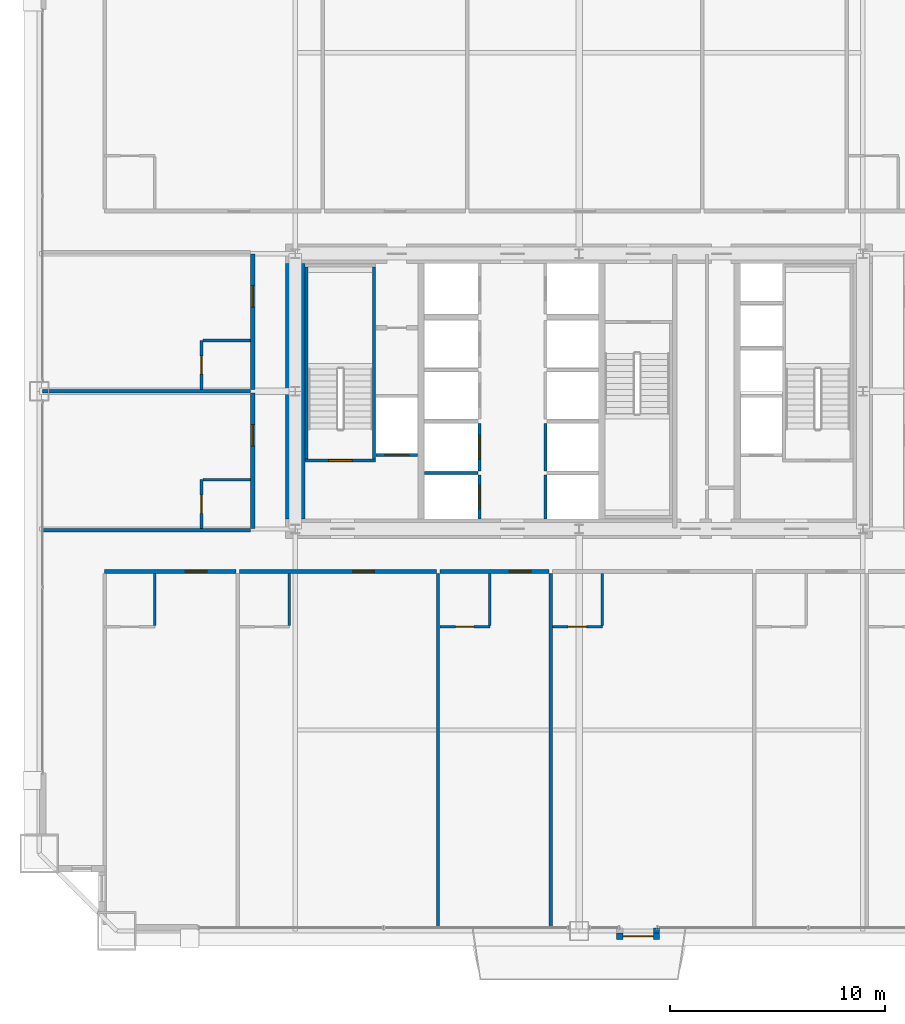
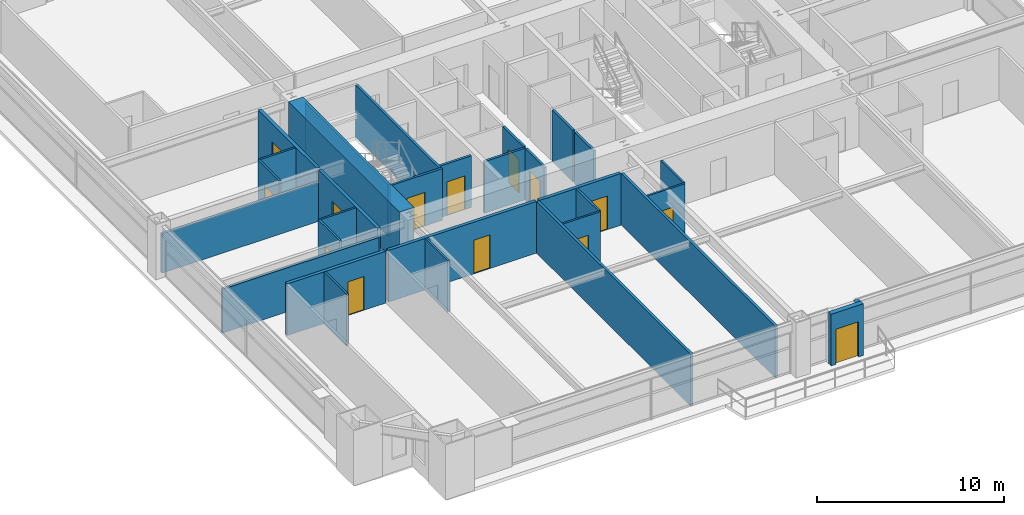
# One storey, part 39 of 43: 31 walls, 14 doors, 14 openings.
"""IFC4 building model written with IfcOpenShell, lengths in metres."""

from ifc_helpers import new_model, si_unit, direction, frame, frame_2d, origin, place, context, subcontext, project, spatial, rectangle, extrude, source, transform, mapped, material, layer, layer_set, type_object, element, fill, save


model = new_model("IFC4")

# Units and contexts
model_context = context("Model", 3, precision=1e-05, world=origin(), true_north=direction((0.0, 1.0)))
body_context = subcontext(model_context, "Body", "Model", "MODEL_VIEW")
ifc_project = project(units=[si_unit("LENGTHUNIT", "METRE"), si_unit("AREAUNIT", "SQUARE_METRE"), si_unit("VOLUMEUNIT", "CUBIC_METRE"), si_unit("PLANEANGLEUNIT", "RADIAN"), si_unit("MASSUNIT", "GRAM", prefix="KILO"), si_unit("THERMODYNAMICTEMPERATUREUNIT", "KELVIN"), si_unit("POWERUNIT", "WATT")], contexts=[model_context])

# Site, building, storey
site_placement = place(None, origin())
site = spatial("IfcSite", under=ifc_project, at=site_placement, CompositionType="ELEMENT")
building_placement = place(site_placement, origin())
building = spatial("IfcBuilding", under=site, at=building_placement, Name="Yuzanri Waterfront Tower", CompositionType="ELEMENT")
storey_placement = place(building_placement, frame((0.0, 0.0, 64.0)))
storey = spatial("IfcBuildingStorey", under=building, at=storey_placement, Name="L16", CompositionType="ELEMENT", Elevation=64.0)

# Wall, opening, door
ifc_material_1 = material(Name="Moisture-Resistant Gypsum Stud Wall", Category="gypsum")
ifc_layer_1 = layer(ifc_material_1, 0.1201171875)
ifc_layer_set_1 = layer_set([ifc_layer_1], Name="Moisture-Resistant Gypsum Stud Wall")
wall_type_1 = type_object("IfcWallType", Name="Bathroom and Kitchen Wet Partition 120", PredefinedType="PARTITIONING", material=ifc_layer_set_1)
wall_1_placement = place(storey_placement, frame((30.52099609375, 14.840087890625, 0.0), z_axis=(0.0, 0.0, 1.0), x_axis=(1.0, 0.0, 0.0)))
wall_1 = element("IfcWall", 1, at=wall_1_placement, inside=storey, type_object=wall_type_1, Name="L16 Partition UW-L16-S3-BS", PredefinedType="PARTITIONING", context=body_context, shape_type="SweptSolid", body=[
    extrude(rectangle(XDim=2.330078125, YDim=0.1201171875, at=frame_2d((1.1650390625, 0.0))), origin(), (0.0, 0.0, 1.0), 3.3798828125),
])
opening_1_placement = place(wall_1_placement, frame((0.739990234375, 0.0, 0.0)))
opening_1 = element("IfcOpeningElement", 2, at=opening_1_placement, cuts=wall_1, Name="Opening ID-0850", PredefinedType="OPENING", context=body_context, shape_type="SweptSolid", body=[
    extrude(rectangle(XDim=0.85009765625, YDim=2.10009765625, at=frame_2d((0.425048828125, 1.050048828125))), frame((0.0, 0.074951171875, 0.0), z_axis=(0.0, -1.0, 0.0), x_axis=(1.0, 0.0, 0.0)), (0.0, 0.0, 1.0), 0.14990234375),
])
ifc_material_2 = material(Name="Moisture-Resistant Lacquered Timber", Category="wood")
door_type_1 = type_object("IfcDoorType", Name="En-Suite Bathroom and Kitchen Swing Door 850x2100", OperationType="NOTDEFINED", PredefinedType="DOOR", material=ifc_material_2)
shared_shape_1 = source(origin(), body_context, "Body", "SweptSolid", [
    extrude(rectangle(XDim=0.85009765625, YDim=2.10009765625, at=frame_2d((0.425048828125, 1.050048828125))), frame((0.0, 0.02490234375, 0.0), z_axis=(0.0, -1.0, 0.0), x_axis=(1.0, 0.0, 0.0)), (0.0, 0.0, 1.0), 0.050048828125),
])
door_1_placement = place(opening_1_placement, origin())
door_1 = element("IfcDoor", 3, at=door_1_placement, inside=storey, type_object=door_type_1, Name="L16 Guest En-Suite Door", OperationType="SINGLE_SWING_RIGHT", OverallHeight=2.10009765625, OverallWidth=0.85009765625, PredefinedType="DOOR", context=body_context, shape_type="MappedRepresentation", body=[
    mapped(shared_shape_1, transform((0.0, 0.0, 0.0), scale=1.0)),
])
fill(opening_1, door_1)

wall_2_placement = place(storey_placement, frame((35.756103515625, 14.840087890625, 0.0), z_axis=(0.0, 0.0, 1.0), x_axis=(1.0, 0.0, 0.0)))
wall_2 = element("IfcWall", 4, at=wall_2_placement, inside=storey, type_object=wall_type_1, Name="L16 Partition UW-L16-S4-BS", PredefinedType="PARTITIONING", context=body_context, shape_type="SweptSolid", body=[
    extrude(rectangle(XDim=2.329833984375, YDim=0.1201171875, at=frame_2d((1.1650390625, 0.0))), origin(), (0.0, 0.0, 1.0), 3.3798828125),
])
opening_2_placement = place(wall_2_placement, frame((0.739990234375, 0.0, 0.0)))
opening_2 = element("IfcOpeningElement", 5, at=opening_2_placement, cuts=wall_2, Name="Opening ID-0850", PredefinedType="OPENING", context=body_context, shape_type="SweptSolid", body=[
    extrude(rectangle(XDim=0.85009765625, YDim=2.10009765625, at=frame_2d((0.425048828125, 1.050048828125))), frame((0.0, 0.074951171875, 0.0), z_axis=(0.0, -1.0, 0.0), x_axis=(1.0, 0.0, 0.0)), (0.0, 0.0, 1.0), 0.14990234375),
])
door_2_placement = place(opening_2_placement, origin())
door_2 = element("IfcDoor", 6, at=door_2_placement, inside=storey, type_object=door_type_1, Name="L16 Guest En-Suite Door", OperationType="SINGLE_SWING_RIGHT", OverallHeight=2.10009765625, OverallWidth=0.85009765625, PredefinedType="DOOR", context=body_context, shape_type="MappedRepresentation", body=[
    mapped(shared_shape_1, transform((0.0, 0.0, 0.0), scale=1.0)),
])
fill(opening_2, door_2)

wall_3_placement = place(storey_placement, frame((19.43994140625, 19.409912109375, 0.0), z_axis=(0.0, 0.0, 1.0), x_axis=(0.0, 1.0, 0.0)))
wall_3 = element("IfcWall", 7, at=wall_3_placement, inside=storey, type_object=wall_type_1, Name="L16 Partition UW-L16-W1-BW", PredefinedType="PARTITIONING", context=body_context, shape_type="SweptSolid", body=[
    extrude(rectangle(XDim=2.280029296875, YDim=0.1201171875, at=frame_2d((1.14013671875, 0.0))), origin(), (0.0, 0.0, 1.0), 3.3798828125),
])
opening_3_placement = place(wall_3_placement, frame((0.715087890625, 0.0, 0.0)))
opening_3 = element("IfcOpeningElement", 8, at=opening_3_placement, cuts=wall_3, Name="Opening ID-0850", PredefinedType="OPENING", context=body_context, shape_type="SweptSolid", body=[
    extrude(rectangle(XDim=0.85009765625, YDim=2.10009765625, at=frame_2d((0.425048828125, 1.050048828125))), frame((0.0, 0.074951171875, 0.0), z_axis=(0.0, -1.0, 0.0), x_axis=(1.0, 0.0, 0.0)), (0.0, 0.0, 1.0), 0.14990234375),
])
door_3_placement = place(opening_3_placement, origin())
door_3 = element("IfcDoor", 9, at=door_3_placement, inside=storey, type_object=door_type_1, Name="L16 Guest En-Suite Door", OperationType="SINGLE_SWING_LEFT", OverallHeight=2.10009765625, OverallWidth=0.85009765625, PredefinedType="DOOR", context=body_context, shape_type="MappedRepresentation", body=[
    mapped(shared_shape_1, transform((0.0, 0.0, 0.0), scale=1.0)),
])
fill(opening_3, door_3)

wall_4_placement = place(storey_placement, frame((19.43994140625, 25.8798828125, 0.0), z_axis=(0.0, 0.0, 1.0), x_axis=(0.0, 1.0, 0.0)))
wall_4 = element("IfcWall", 10, at=wall_4_placement, inside=storey, type_object=wall_type_1, Name="L16 Partition UW-L16-W2-BW", PredefinedType="PARTITIONING", context=body_context, shape_type="SweptSolid", body=[
    extrude(rectangle(XDim=2.280029296875, YDim=0.1201171875, at=frame_2d((1.14013671875, 0.0))), origin(), (0.0, 0.0, 1.0), 3.3798828125),
])
opening_4_placement = place(wall_4_placement, frame((0.715087890625, 0.0, 0.0)))
opening_4 = element("IfcOpeningElement", 11, at=opening_4_placement, cuts=wall_4, Name="Opening ID-0850", PredefinedType="OPENING", context=body_context, shape_type="SweptSolid", body=[
    extrude(rectangle(XDim=0.85009765625, YDim=2.10009765625, at=frame_2d((0.425048828125, 1.050048828125))), frame((0.0, 0.074951171875, 0.0), z_axis=(0.0, -1.0, 0.0), x_axis=(1.0, 0.0, 0.0)), (0.0, 0.0, 1.0), 0.14990234375),
])
door_4_placement = place(opening_4_placement, origin())
door_4 = element("IfcDoor", 12, at=door_4_placement, inside=storey, type_object=door_type_1, Name="L16 Guest En-Suite Door", OperationType="SINGLE_SWING_LEFT", OverallHeight=2.10009765625, OverallWidth=0.85009765625, PredefinedType="DOOR", context=body_context, shape_type="MappedRepresentation", body=[
    mapped(shared_shape_1, transform((0.0, 0.0, 0.0), scale=1.0)),
])
fill(opening_4, door_4)

ifc_material_3 = material(Name="Honed Chongqing Dark Basalt Stone", Category="masonry")
ifc_layer_2 = layer(ifc_material_3, 0.300048828125)
ifc_layer_set_2 = layer_set([ifc_layer_2], Name="Honed Chongqing Dark Basalt Stone")
wall_type_2 = type_object("IfcWallType", Name="Bronze Rainscreen Insulated Spandrel Portal Wall 300", PredefinedType="SOLIDWALL", material=ifc_layer_set_2)
wall_5_placement = place(storey_placement, frame((38.7509765625, 0.449951171875, 0.0), z_axis=(0.0, 0.0, 1.0), x_axis=(1.0, 0.0, 0.0)))
wall_5 = element("IfcWall", 13, at=wall_5_placement, inside=storey, type_object=wall_type_2, Name="L16 S Terrace Door Portal Wall", PredefinedType="SOLIDWALL", context=body_context, shape_type="SweptSolid", body=[
    extrude(rectangle(XDim=2.0, YDim=0.300048828125, at=frame_2d((1.0, 0.0))), origin(), (0.0, 0.0, 1.0), 3.3798828125),
])
opening_5_placement = place(wall_5_placement, frame((0.300048828125, 0.0, 0.0)))
opening_5 = element("IfcOpeningElement", 14, at=opening_5_placement, cuts=wall_5, Name="Opening TD-1400", PredefinedType="OPENING", context=body_context, shape_type="SweptSolid", body=[
    extrude(rectangle(XDim=1.39990234375, YDim=2.300048828125, at=frame_2d((0.699951171875, 1.14990234375))), frame((0.0, 0.1650390625, 0.0), z_axis=(0.0, -1.0, 0.0), x_axis=(1.0, 0.0, 0.0)), (0.0, 0.0, 1.0), 0.329833984375),
])
ifc_material_4 = material(Name="Anodized Architectural Bronze", Category="metal")
door_type_2 = type_object("IfcDoorType", Name="Anodized Bronze Balcony and Terrace Glazed Double Door 1400x2300", OperationType="NOTDEFINED", PredefinedType="DOOR", material=ifc_material_4)
shared_shape_2 = source(origin(), body_context, "Body", "SweptSolid", [
    extrude(rectangle(XDim=1.39990234375, YDim=2.300048828125, at=frame_2d((0.699951171875, 1.14990234375))), frame((0.0, 0.02490234375, 0.0), z_axis=(0.0, -1.0, 0.0), x_axis=(1.0, 0.0, 0.0)), (0.0, 0.0, 1.0), 0.050048828125),
])
door_5_placement = place(opening_5_placement, origin())
door_5 = element("IfcDoor", 15, at=door_5_placement, inside=storey, type_object=door_type_2, Name="L16 S Terrace Glazed Double Door", OperationType="DOUBLE_DOOR_SINGLE_SWING", OverallHeight=2.300048828125, OverallWidth=1.39990234375, PredefinedType="DOOR", context=body_context, shape_type="MappedRepresentation", body=[
    mapped(shared_shape_2, transform((0.0, 0.0, 0.0), scale=1.0)),
])
fill(opening_5, door_5)

ifc_material_5 = material(Name="Concrete C40", Category="concrete")
ifc_layer_3 = layer(ifc_material_5, 0.139892578125)
ifc_layer_set_3 = layer_set([ifc_layer_3], Name="Concrete C40")
wall_type_3 = type_object("IfcWallType", Name="Core Stair Liner and Hoistway Shaft Wall 140", PredefinedType="SOLIDWALL", material=ifc_layer_set_3)
wall_6_placement = place(storey_placement, frame((27.56005859375, 22.830078125, 0.0), z_axis=(0.0, 0.0, 1.0), x_axis=(1.0, 0.0, 0.0)))
wall_6 = element("IfcWall", 16, at=wall_6_placement, inside=storey, type_object=wall_type_3, Name="L16 Lift FL-01 Front Shaft Wall", PredefinedType="SOLIDWALL", context=body_context, shape_type="SweptSolid", body=[
    extrude(rectangle(XDim=1.919921875, YDim=0.139892578125, at=frame_2d((0.9599609375, 0.0))), origin(), (0.0, 0.0, 1.0), 3.3798828125),
])
opening_6_placement = place(wall_6_placement, frame((0.409912109375, 0.0, 0.0)))
opening_6 = element("IfcOpeningElement", 17, at=opening_6_placement, cuts=wall_6, Name="Opening LD-FL-01", PredefinedType="OPENING", context=body_context, shape_type="SweptSolid", body=[
    extrude(rectangle(XDim=1.10009765625, YDim=2.199951171875, at=frame_2d((0.550048828125, 1.10009765625))), frame((0.0, 0.0849609375, 0.0), z_axis=(0.0, -1.0, 0.0), x_axis=(1.0, 0.0, 0.0)), (0.0, 0.0, 1.0), 0.169677734375),
])
ifc_material_6 = material(Name="Brushed Bronze and Stainless Steel Cab", Category="steel")
door_type_3 = type_object("IfcDoorType", Name="Center-Parting Bronze Lift Landing Sliding Door 1100x2200", OperationType="NOTDEFINED", PredefinedType="DOOR", material=ifc_material_6)
shared_shape_3 = source(origin(), body_context, "Body", "SweptSolid", [
    extrude(rectangle(XDim=1.10009765625, YDim=2.199951171875, at=frame_2d((0.550048828125, 1.10009765625))), frame((0.0, 0.02490234375, 0.0), z_axis=(0.0, -1.0, 0.0), x_axis=(1.0, 0.0, 0.0)), (0.0, 0.0, 1.0), 0.050048828125),
])
door_6_placement = place(opening_6_placement, origin())
door_6 = element("IfcDoor", 18, at=door_6_placement, inside=storey, type_object=door_type_3, Name="L16 FL-01 Lift Landing Sliding Door", OperationType="SLIDING_TO_LEFT", OverallHeight=2.199951171875, OverallWidth=1.10009765625, PredefinedType="DOOR", context=body_context, shape_type="MappedRepresentation", body=[
    mapped(shared_shape_3, transform((0.0, 0.0, 0.0), scale=1.0)),
])
fill(opening_6, door_6)

wall_7_placement = place(storey_placement, frame((32.3701171875, 19.860107421875, 0.0), z_axis=(0.0, 0.0, 1.0), x_axis=(0.0, 1.0, 0.0)))
wall_7 = element("IfcWall", 19, at=wall_7_placement, inside=storey, type_object=wall_type_3, Name="L16 Lift PL-01 Front Shaft Wall", PredefinedType="SOLIDWALL", context=body_context, shape_type="SweptSolid", body=[
    extrude(rectangle(XDim=2.039794921875, YDim=0.139892578125, at=frame_2d((1.02001953125, 0.0))), origin(), (0.0, 0.0, 1.0), 3.3798828125),
])
opening_7_placement = place(wall_7_placement, frame((0.469970703125, 0.0, 0.0)))
opening_7 = element("IfcOpeningElement", 20, at=opening_7_placement, cuts=wall_7, Name="Opening LD-PL-01", PredefinedType="OPENING", context=body_context, shape_type="SweptSolid", body=[
    extrude(rectangle(XDim=1.10009765625, YDim=2.199951171875, at=frame_2d((0.550048828125, 1.10009765625))), frame((0.0, 0.0849609375, 0.0), z_axis=(0.0, -1.0, 0.0), x_axis=(1.0, 0.0, 0.0)), (0.0, 0.0, 1.0), 0.169677734375),
])
door_7_placement = place(opening_7_placement, origin())
door_7 = element("IfcDoor", 21, at=door_7_placement, inside=storey, type_object=door_type_3, Name="L16 PL-01 Lift Landing Sliding Door", OperationType="SLIDING_TO_LEFT", OverallHeight=2.199951171875, OverallWidth=1.10009765625, PredefinedType="DOOR", context=body_context, shape_type="MappedRepresentation", body=[
    mapped(shared_shape_3, transform((0.0, 0.0, 0.0), scale=1.0)),
])
fill(opening_7, door_7)

wall_8_placement = place(storey_placement, frame((32.3701171875, 22.10009765625, 0.0), z_axis=(0.0, 0.0, 1.0), x_axis=(0.0, 1.0, 0.0)))
wall_8 = element("IfcWall", 22, at=wall_8_placement, inside=storey, type_object=wall_type_3, Name="L16 Lift PL-02 Front Shaft Wall", PredefinedType="SOLIDWALL", context=body_context, shape_type="SweptSolid", body=[
    extrude(rectangle(XDim=2.199951171875, YDim=0.139892578125, at=frame_2d((1.10009765625, 0.0))), origin(), (0.0, 0.0, 1.0), 3.3798828125),
])
opening_8_placement = place(wall_8_placement, frame((0.550048828125, 0.0, 0.0)))
opening_8 = element("IfcOpeningElement", 23, at=opening_8_placement, cuts=wall_8, Name="Opening LD-PL-02", PredefinedType="OPENING", context=body_context, shape_type="SweptSolid", body=[
    extrude(rectangle(XDim=1.10009765625, YDim=2.199951171875, at=frame_2d((0.550048828125, 1.10009765625))), frame((0.0, 0.0849609375, 0.0), z_axis=(0.0, -1.0, 0.0), x_axis=(1.0, 0.0, 0.0)), (0.0, 0.0, 1.0), 0.169677734375),
])
door_8_placement = place(opening_8_placement, origin())
door_8 = element("IfcDoor", 24, at=door_8_placement, inside=storey, type_object=door_type_3, Name="L16 PL-02 Lift Landing Sliding Door", OperationType="SLIDING_TO_RIGHT", OverallHeight=2.199951171875, OverallWidth=1.10009765625, PredefinedType="DOOR", context=body_context, shape_type="MappedRepresentation", body=[
    mapped(shared_shape_3, transform((0.0, 0.0, 0.0), scale=1.0)),
])
fill(opening_8, door_8)

wall_9_placement = place(storey_placement, frame((24.260009765625, 22.570068359375, 0.0), z_axis=(0.0, 0.0, 1.0), x_axis=(1.0, 0.0, 0.0)))
wall_9 = element("IfcWall", 25, at=wall_9_placement, inside=storey, type_object=wall_type_3, Name="L16 Shaft Wall STW-L16-ST-01-S", PredefinedType="SOLIDWALL", context=body_context, shape_type="SweptSolid", body=[
    extrude(rectangle(XDim=3.280029296875, YDim=0.139892578125, at=frame_2d((1.64013671875, 0.0))), origin(), (0.0, 0.0, 1.0), 3.3798828125),
])
opening_9_placement = place(wall_9_placement, frame((1.090087890625, 0.0, 0.0)))
opening_9 = element("IfcOpeningElement", 26, at=opening_9_placement, cuts=wall_9, Name="Opening FD-1100", PredefinedType="OPENING", context=body_context, shape_type="SweptSolid", body=[
    extrude(rectangle(XDim=1.10009765625, YDim=2.199951171875, at=frame_2d((0.550048828125, 1.10009765625))), frame((0.0, 0.0849609375, 0.0), z_axis=(0.0, -1.0, 0.0), x_axis=(1.0, 0.0, 0.0)), (0.0, 0.0, 1.0), 0.169677734375),
])
ifc_material_7 = material(Name="Painted Galvanized Fire Steel", Category="steel")
door_type_4 = type_object("IfcDoorType", Name="Smoke-Proof Stair and Lobby Fire Door 1100x2200", OperationType="NOTDEFINED", PredefinedType="DOOR", material=ifc_material_7)
shared_shape_4 = source(origin(), body_context, "Body", "SweptSolid", [
    extrude(rectangle(XDim=1.10009765625, YDim=2.199951171875, at=frame_2d((0.550048828125, 1.10009765625))), frame((0.0, 0.02490234375, 0.0), z_axis=(0.0, -1.0, 0.0), x_axis=(1.0, 0.0, 0.0)), (0.0, 0.0, 1.0), 0.050048828125),
])
door_9_placement = place(opening_9_placement, origin())
door_9 = element("IfcDoor", 27, at=door_9_placement, inside=storey, type_object=door_type_4, Name="L16 Stair ST-01 Fire Door", OperationType="SINGLE_SWING_RIGHT", OverallHeight=2.199951171875, OverallWidth=1.10009765625, PredefinedType="DOOR", context=body_context, shape_type="MappedRepresentation", body=[
    mapped(shared_shape_4, transform((0.0, 0.0, 0.0), scale=1.0)),
])
fill(opening_9, door_9)

ifc_material_8 = material(Name="Autoclaved Aerated Concrete Blockwork", Category="masonry")
ifc_layer_4 = layer(ifc_material_8, 0.199951171875)
ifc_layer_set_4 = layer_set([ifc_layer_4], Name="Autoclaved Aerated Concrete Blockwork")
wall_type_4 = type_object("IfcWallType", Name="Corridor and Unit Party Fire Wall 200", PredefinedType="PARTITIONING", material=ifc_layer_set_4)
wall_10_placement = place(storey_placement, frame((14.93994140625, 17.419921875, 0.0), z_axis=(0.0, 0.0, 1.0), x_axis=(1.0, 0.0, 0.0)))
wall_10 = element("IfcWall", 28, at=wall_10_placement, inside=storey, type_object=wall_type_4, Name="L16 Partition UW-L16-S1-CN", PredefinedType="PARTITIONING", context=body_context, shape_type="SweptSolid", body=[
    extrude(rectangle(XDim=6.09716796875, YDim=0.199951171875, at=frame_2d((3.048583984375, 0.0))), origin(), (0.0, 0.0, 1.0), 3.3798828125),
])
opening_10_placement = place(wall_10_placement, frame((3.75390625, 0.0, 0.0)))
opening_10 = element("IfcOpeningElement", 29, at=opening_10_placement, cuts=wall_10, Name="Opening FD-1000", PredefinedType="OPENING", context=body_context, shape_type="SweptSolid", body=[
    extrude(rectangle(XDim=1.0, YDim=2.199951171875, at=frame_2d((0.5, 1.10009765625))), frame((0.0, 0.11474609375, 0.0), z_axis=(0.0, -1.0, 0.0), x_axis=(1.0, 0.0, 0.0)), (0.0, 0.0, 1.0), 0.229736328125),
])
ifc_material_9 = material(Name="Engineered Oak Fire-Rated Timber", Category="wood")
door_type_5 = type_object("IfcDoorType", Name="Guestroom and Apartment Entrance Fire Door 1000x2200", OperationType="NOTDEFINED", PredefinedType="DOOR", material=ifc_material_9)
shared_shape_5 = source(origin(), body_context, "Body", "SweptSolid", [
    extrude(rectangle(XDim=1.0, YDim=2.199951171875, at=frame_2d((0.5, 1.10009765625))), frame((0.0, 0.02490234375, 0.0), z_axis=(0.0, -1.0, 0.0), x_axis=(1.0, 0.0, 0.0)), (0.0, 0.0, 1.0), 0.050048828125),
])
door_10_placement = place(opening_10_placement, origin())
door_10 = element("IfcDoor", 30, at=door_10_placement, inside=storey, type_object=door_type_5, Name="L16 Deluxe Riverfront Junior Suite Entrance Door", OperationType="SINGLE_SWING_LEFT", OverallHeight=2.199951171875, OverallWidth=1.0, PredefinedType="DOOR", context=body_context, shape_type="MappedRepresentation", body=[
    mapped(shared_shape_5, transform((0.0, 0.0, 0.0), scale=1.0)),
])
fill(opening_10, door_10)

wall_11_placement = place(storey_placement, frame((21.197021484375, 17.419921875, 0.0), z_axis=(0.0, 0.0, 1.0), x_axis=(1.0, 0.0, 0.0)))
wall_11 = element("IfcWall", 31, at=wall_11_placement, inside=storey, type_object=wall_type_4, Name="L16 Partition UW-L16-S2-CN", PredefinedType="PARTITIONING", context=body_context, shape_type="SweptSolid", body=[
    extrude(rectangle(XDim=9.1640625, YDim=0.199951171875, at=frame_2d((4.58203125, 0.0))), origin(), (0.0, 0.0, 1.0), 3.3798828125),
])
opening_11_placement = place(wall_11_placement, frame((5.287109375, 0.0, 0.0)))
opening_11 = element("IfcOpeningElement", 32, at=opening_11_placement, cuts=wall_11, Name="Opening FD-1000", PredefinedType="OPENING", context=body_context, shape_type="SweptSolid", body=[
    extrude(rectangle(XDim=1.0, YDim=2.199951171875, at=frame_2d((0.5, 1.10009765625))), frame((0.0, 0.11474609375, 0.0), z_axis=(0.0, -1.0, 0.0), x_axis=(1.0, 0.0, 0.0)), (0.0, 0.0, 1.0), 0.229736328125),
])
door_11_placement = place(opening_11_placement, origin())
door_11 = element("IfcDoor", 33, at=door_11_placement, inside=storey, type_object=door_type_5, Name="L16 Deluxe Riverfront Junior Suite Entrance Door", OperationType="SINGLE_SWING_LEFT", OverallHeight=2.199951171875, OverallWidth=1.0, PredefinedType="DOOR", context=body_context, shape_type="MappedRepresentation", body=[
    mapped(shared_shape_5, transform((0.0, 0.0, 0.0), scale=1.0)),
])
fill(opening_11, door_11)

wall_12_placement = place(storey_placement, frame((30.52099609375, 17.419921875, 0.0), z_axis=(0.0, 0.0, 1.0), x_axis=(1.0, 0.0, 0.0)))
wall_12 = element("IfcWall", 34, at=wall_12_placement, inside=storey, type_object=wall_type_4, Name="L16 Partition UW-L16-S3-CN", PredefinedType="PARTITIONING", context=body_context, shape_type="SweptSolid", body=[
    extrude(rectangle(XDim=5.074951171875, YDim=0.199951171875, at=frame_2d((2.53759765625, 0.0))), origin(), (0.0, 0.0, 1.0), 3.3798828125),
])
opening_12_placement = place(wall_12_placement, frame((3.241943359375, 0.0, 0.0)))
opening_12 = element("IfcOpeningElement", 35, at=opening_12_placement, cuts=wall_12, Name="Opening FD-1000", PredefinedType="OPENING", context=body_context, shape_type="SweptSolid", body=[
    extrude(rectangle(XDim=1.0, YDim=2.199951171875, at=frame_2d((0.5, 1.10009765625))), frame((0.0, 0.11474609375, 0.0), z_axis=(0.0, -1.0, 0.0), x_axis=(1.0, 0.0, 0.0)), (0.0, 0.0, 1.0), 0.229736328125),
])
door_12_placement = place(opening_12_placement, origin())
door_12 = element("IfcDoor", 36, at=door_12_placement, inside=storey, type_object=door_type_5, Name="L16 Deluxe Riverfront Junior Suite Entrance Door", OperationType="SINGLE_SWING_LEFT", OverallHeight=2.199951171875, OverallWidth=1.0, PredefinedType="DOOR", context=body_context, shape_type="MappedRepresentation", body=[
    mapped(shared_shape_5, transform((0.0, 0.0, 0.0), scale=1.0)),
])
fill(opening_12, door_12)

wall_13_placement = place(storey_placement, frame((21.820068359375, 19.409912109375, 0.0), z_axis=(0.0, 0.0, 1.0), x_axis=(0.0, 1.0, 0.0)))
wall_13 = element("IfcWall", 37, at=wall_13_placement, inside=storey, type_object=wall_type_4, Name="L16 Partition UW-L16-W1-CW", PredefinedType="PARTITIONING", context=body_context, shape_type="SweptSolid", body=[
    extrude(rectangle(XDim=6.31005859375, YDim=0.199951171875, at=frame_2d((3.155029296875, 0.0))), origin(), (0.0, 0.0, 1.0), 3.3798828125),
])
opening_13_placement = place(wall_13_placement, frame((3.8349609375, 0.0, 0.0)))
opening_13 = element("IfcOpeningElement", 38, at=opening_13_placement, cuts=wall_13, Name="Opening FD-1000", PredefinedType="OPENING", context=body_context, shape_type="SweptSolid", body=[
    extrude(rectangle(XDim=1.0, YDim=2.199951171875, at=frame_2d((0.5, 1.10009765625))), frame((0.0, 0.11474609375, 0.0), z_axis=(0.0, -1.0, 0.0), x_axis=(1.0, 0.0, 0.0)), (0.0, 0.0, 1.0), 0.229736328125),
])
door_13_placement = place(opening_13_placement, origin())
door_13 = element("IfcDoor", 39, at=door_13_placement, inside=storey, type_object=door_type_5, Name="L16 West Guest Room Entrance Door", OperationType="SINGLE_SWING_RIGHT", OverallHeight=2.199951171875, OverallWidth=1.0, PredefinedType="DOOR", context=body_context, shape_type="MappedRepresentation", body=[
    mapped(shared_shape_5, transform((0.0, 0.0, 0.0), scale=1.0)),
])
fill(opening_13, door_13)

wall_14_placement = place(storey_placement, frame((21.820068359375, 25.8798828125, 0.0), z_axis=(0.0, 0.0, 1.0), x_axis=(0.0, 1.0, 0.0)))
wall_14 = element("IfcWall", 40, at=wall_14_placement, inside=storey, type_object=wall_type_4, Name="L16 Partition UW-L16-W2-CW", PredefinedType="PARTITIONING", context=body_context, shape_type="SweptSolid", body=[
    extrude(rectangle(XDim=6.31005859375, YDim=0.199951171875, at=frame_2d((3.155029296875, 0.0))), origin(), (0.0, 0.0, 1.0), 3.3798828125),
])
opening_14_placement = place(wall_14_placement, frame((3.8349609375, 0.0, 0.0)))
opening_14 = element("IfcOpeningElement", 41, at=opening_14_placement, cuts=wall_14, Name="Opening FD-1000", PredefinedType="OPENING", context=body_context, shape_type="SweptSolid", body=[
    extrude(rectangle(XDim=1.0, YDim=2.199951171875, at=frame_2d((0.5, 1.10009765625))), frame((0.0, 0.11474609375, 0.0), z_axis=(0.0, -1.0, 0.0), x_axis=(1.0, 0.0, 0.0)), (0.0, 0.0, 1.0), 0.229736328125),
])
door_14_placement = place(opening_14_placement, origin())
door_14 = element("IfcDoor", 42, at=door_14_placement, inside=storey, type_object=door_type_5, Name="L16 West Guest Room Entrance Door", OperationType="SINGLE_SWING_RIGHT", OverallHeight=2.199951171875, OverallWidth=1.0, PredefinedType="DOOR", context=body_context, shape_type="MappedRepresentation", body=[
    mapped(shared_shape_5, transform((0.0, 0.0, 0.0), scale=1.0)),
])
fill(opening_14, door_14)

# Walls
ifc_material_10 = material(Name="Concrete C60", Category="concrete")
ifc_layer_5 = layer(ifc_material_10, 0.89990234375)
ifc_layer_set_5 = layer_set([ifc_layer_5], Name="Concrete C60")
wall_type_5 = type_object("IfcWallType", Name="Concrete C60 Lower Zone Core Shear Wall 900", PredefinedType="SHEAR", material=ifc_layer_set_5)
shared_shape_6 = source(origin(), body_context, "Body", "SweptSolid", [
    extrude(rectangle(XDim=11.89990234375, YDim=0.89990234375, at=frame_2d((5.949951171875, 0.0))), origin(), (0.0, 0.0, 1.0), 3.60009765625),
])
wall_15_placement = place(storey_placement, frame((23.800048828125, 19.85009765625, 0.0), z_axis=(0.0, 0.0, 1.0), x_axis=(0.0, 1.0, 0.0)))
element("IfcWall", 43, at=wall_15_placement, inside=storey, type_object=wall_type_5, Name="L16 Core West Shear Wall", PredefinedType="SHEAR", context=body_context, shape_type="MappedRepresentation", body=[
    mapped(shared_shape_6, transform((0.0, 0.0, 0.0), scale=1.0)),
])
shared_shape_7 = source(origin(), body_context, "Body", "SweptSolid", [
    extrude(rectangle(XDim=0.25, YDim=0.300048828125, at=frame_2d((0.125, 0.0))), origin(), (0.0, 0.0, 1.0), 3.3798828125),
])
wall_16_placement = place(storey_placement, frame((40.60107421875, 0.60009765625, 0.0), z_axis=(0.0, 0.0, 1.0), x_axis=(0.0, 1.0, 0.0)))
element("IfcWall", 44, at=wall_16_placement, inside=storey, type_object=wall_type_2, Name="L16 S Terrace Portal Right Return", PredefinedType="SOLIDWALL", context=body_context, shape_type="MappedRepresentation", body=[
    mapped(shared_shape_7, transform((0.0, 0.0, 0.0), scale=1.0)),
])
shared_shape_8 = source(origin(), body_context, "Body", "SweptSolid", [
    extrude(rectangle(XDim=2.5, YDim=0.139892578125, at=frame_2d((1.25, 0.0))), origin(), (0.0, 0.0, 1.0), 3.3798828125),
])
wall_17_placement = place(storey_placement, frame((29.800048828125, 22.0, 0.0), z_axis=(0.0, 0.0, 1.0), x_axis=(1.0, 0.0, 0.0)))
element("IfcWall", 45, at=wall_17_placement, inside=storey, type_object=wall_type_3, Name="L16 Lift PL-01 Divider Wall", PredefinedType="SOLIDWALL", context=body_context, shape_type="MappedRepresentation", body=[
    mapped(shared_shape_8, transform((0.0, 0.0, 0.0), scale=1.0)),
])
shared_shape_9 = source(origin(), body_context, "Body", "SweptSolid", [
    extrude(rectangle(XDim=2.039794921875, YDim=0.139892578125, at=frame_2d((1.02001953125, 0.0))), origin(), (0.0, 0.0, 1.0), 3.3798828125),
])
wall_18_placement = place(storey_placement, frame((35.429931640625, 19.860107421875, 0.0), z_axis=(0.0, 0.0, 1.0), x_axis=(0.0, 1.0, 0.0)))
element("IfcWall", 46, at=wall_18_placement, inside=storey, type_object=wall_type_3, Name="L16 Lift PL-05 Front Shaft Wall", PredefinedType="SOLIDWALL", context=body_context, shape_type="MappedRepresentation", body=[
    mapped(shared_shape_9, transform((0.0, 0.0, 0.0), scale=1.0)),
])
shared_shape_10 = source(origin(), body_context, "Body", "SweptSolid", [
    extrude(rectangle(XDim=2.199951171875, YDim=0.139892578125, at=frame_2d((1.10009765625, 0.0))), origin(), (0.0, 0.0, 1.0), 3.3798828125),
])
wall_19_placement = place(storey_placement, frame((35.429931640625, 22.10009765625, 0.0), z_axis=(0.0, 0.0, 1.0), x_axis=(0.0, 1.0, 0.0)))
element("IfcWall", 47, at=wall_19_placement, inside=storey, type_object=wall_type_3, Name="L16 Lift PL-06 Front Shaft Wall", PredefinedType="SOLIDWALL", context=body_context, shape_type="MappedRepresentation", body=[
    mapped(shared_shape_10, transform((0.0, 0.0, 0.0), scale=1.0)),
])
shared_shape_11 = source(origin(), body_context, "Body", "SweptSolid", [
    extrude(rectangle(XDim=8.940185546875, YDim=0.139892578125, at=frame_2d((4.47021484375, 0.0))), origin(), (0.0, 0.0, 1.0), 3.3798828125),
])
for number, where, z_axis, x_axis, name in (
    (48, (24.330078125, 22.639892578125, 0.0), (0.0, 0.0, 1.0), (0.0, 1.0, 0.0), "L16 Stair ST-01 West Shaft Wall"),
    (49, (27.469970703125, 22.639892578125, 0.0), (0.0, 0.0, 1.0), (0.0, 1.0, 0.0), "L16 Stair ST-01 East Shaft Wall"),
):
    element("IfcWall", number, at=place(storey_placement, frame(where, z_axis=z_axis, x_axis=x_axis)), inside=storey, type_object=wall_type_3, Name=name, PredefinedType="SOLIDWALL", context=body_context, shape_type="MappedRepresentation", body=[
        mapped(shared_shape_11, transform((0.0, 0.0, 0.0), scale=1.0)),
    ])
ifc_material_11 = material(Name="Gypsum Fireboard Acoustic Stud Wall", Category="gypsum")
ifc_layer_6 = layer(ifc_material_11, 0.159912109375)
ifc_layer_set_6 = layer_set([ifc_layer_6], Name="Gypsum Fireboard Acoustic Stud Wall")
wall_type_6 = type_object("IfcWallType", Name="Acoustic Suite Demising Partition 160", PredefinedType="PARTITIONING", material=ifc_layer_set_6)
shared_shape_12 = source(origin(), body_context, "Body", "SweptSolid", [
    extrude(rectangle(XDim=16.469970703125, YDim=0.159912109375, at=frame_2d((8.23486328125, 0.0))), origin(), (0.0, 0.0, 1.0), 3.3798828125),
])
for number, where, z_axis, x_axis, name in (
    (50, (30.44091796875, 0.85009765625, 0.0), (0.0, 0.0, 1.0), (0.0, 1.0, 0.0), "L16-S2 Party Wall"),
    (51, (35.676025390625, 0.85009765625, 0.0), (0.0, 0.0, 1.0), (0.0, 1.0, 0.0), "L16-S3 Party Wall"),
):
    element("IfcWall", number, at=place(storey_placement, frame(where, z_axis=z_axis, x_axis=x_axis)), inside=storey, type_object=wall_type_6, Name=name, PredefinedType="PARTITIONING", context=body_context, shape_type="MappedRepresentation", body=[
        mapped(shared_shape_12, transform((0.0, 0.0, 0.0), scale=1.0)),
    ])
shared_shape_13 = source(origin(), body_context, "Body", "SweptSolid", [
    extrude(rectangle(XDim=2.420166015625, YDim=0.1201171875, at=frame_2d((1.2099609375, 0.0))), origin(), (0.0, 0.0, 1.0), 3.3798828125),
])
for number, where, z_axis, x_axis, name in (
    (52, (17.27001953125, 14.89990234375, 0.0), (0.0, 0.0, 1.0), (0.0, 1.0, 0.0), "L16-S1 En-Suite Side Wall"),
    (53, (23.527099609375, 14.89990234375, 0.0), (0.0, 0.0, 1.0), (0.0, 1.0, 0.0), "L16-S2 En-Suite Side Wall"),
    (54, (32.85107421875, 14.89990234375, 0.0), (0.0, 0.0, 1.0), (0.0, 1.0, 0.0), "L16-S3 En-Suite Side Wall"),
    (55, (38.0859375, 14.89990234375, 0.0), (0.0, 0.0, 1.0), (0.0, 1.0, 0.0), "L16-S4 En-Suite Side Wall"),
):
    element("IfcWall", number, at=place(storey_placement, frame(where, z_axis=z_axis, x_axis=x_axis)), inside=storey, type_object=wall_type_1, Name=name, PredefinedType="PARTITIONING", context=body_context, shape_type="MappedRepresentation", body=[
        mapped(shared_shape_13, transform((0.0, 0.0, 0.0), scale=1.0)),
    ])
shared_shape_14 = source(origin(), body_context, "Body", "SweptSolid", [
    extrude(rectangle(XDim=9.669921875, YDim=0.159912109375, at=frame_2d((4.8349609375, 0.0))), origin(), (0.0, 0.0, 1.0), 2.574951171875),
])
wall_20_placement = place(storey_placement, frame((12.050048828125, 25.800048828125, 0.0), z_axis=(0.0, 0.0, 1.0), x_axis=(1.0, 0.0, 0.0)))
element("IfcWall", 56, at=wall_20_placement, inside=storey, type_object=wall_type_6, Name="L16-W1 Wing Party Wall", PredefinedType="PARTITIONING", context=body_context, shape_type="MappedRepresentation", body=[
    mapped(shared_shape_14, transform((0.0, 0.0, 0.0), scale=1.0)),
])
shared_shape_15 = source(origin(), body_context, "Body", "SweptSolid", [
    extrude(rectangle(XDim=9.669921875, YDim=0.159912109375, at=frame_2d((4.8349609375, 0.0))), origin(), (0.0, 0.0, 1.0), 2.875),
])
wall_21_placement = place(storey_placement, frame((12.050048828125, 19.330078125, 0.0), z_axis=(0.0, 0.0, 1.0), x_axis=(1.0, 0.0, 0.0)))
element("IfcWall", 57, at=wall_21_placement, inside=storey, type_object=wall_type_6, Name="L16-W1 Wing South End Wall", PredefinedType="PARTITIONING", context=body_context, shape_type="MappedRepresentation", body=[
    mapped(shared_shape_15, transform((0.0, 0.0, 0.0), scale=1.0)),
])
shared_shape_16 = source(origin(), body_context, "Body", "SweptSolid", [
    extrude(rectangle(XDim=2.219970703125, YDim=0.1201171875, at=frame_2d((1.10986328125, 0.0))), origin(), (0.0, 0.0, 1.0), 3.3798828125),
])
for number, where, z_axis, x_axis, name in (
    (58, (19.5, 21.68994140625, 0.0), (0.0, 0.0, 1.0), (1.0, 0.0, 0.0), "L16-W1 En-Suite Top Wall"),
    (59, (19.5, 28.159912109375, 0.0), (0.0, 0.0, 1.0), (1.0, 0.0, 0.0), "L16-W2 En-Suite Top Wall"),
):
    element("IfcWall", number, at=place(storey_placement, frame(where, z_axis=z_axis, x_axis=x_axis)), inside=storey, type_object=wall_type_1, Name=name, PredefinedType="PARTITIONING", context=body_context, shape_type="MappedRepresentation", body=[
        mapped(shared_shape_16, transform((0.0, 0.0, 0.0), scale=1.0)),
    ])

save(model, "model.ifc")
